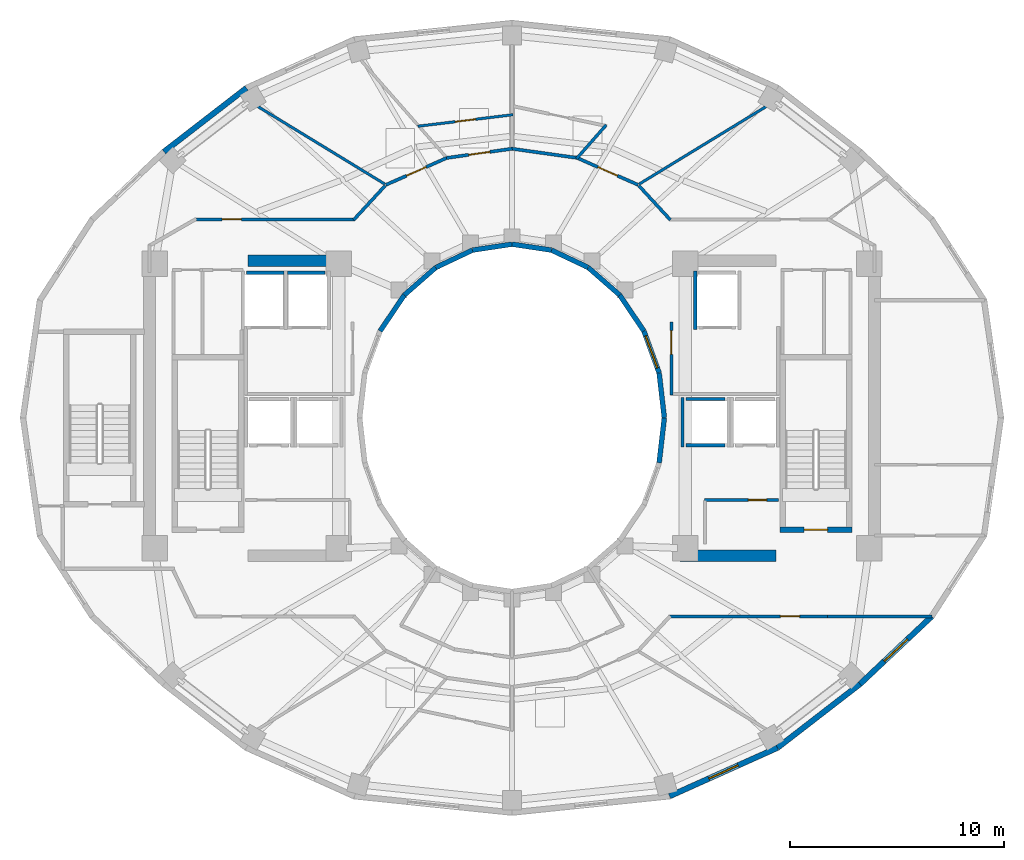
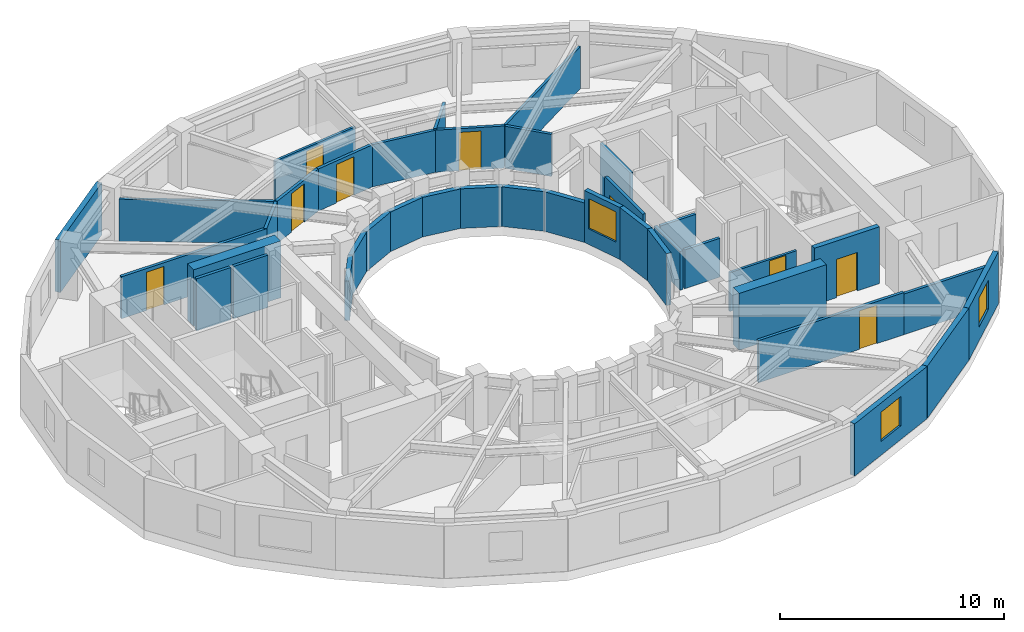
# One storey, part 5 of 9: 39 walls, 9 doors, 3 windows, 12 openings.
"""IFC4 building model written with IfcOpenShell, lengths in metres."""

from ifc_helpers import new_model, si_unit, direction, frame, frame_2d, origin, place, context, subcontext, project, spatial, rectangle, extrude, material, layer, layer_set, type_object, element, fill, save


model = new_model("IFC4")

# Units and contexts
model_context = context("Model", 3, precision=1e-05, world=origin(), true_north=direction((0.0, 1.0)))
body_context = subcontext(model_context, "Body", "Model", "MODEL_VIEW")
ifc_project = project(units=[si_unit("LENGTHUNIT", "METRE"), si_unit("AREAUNIT", "SQUARE_METRE"), si_unit("VOLUMEUNIT", "CUBIC_METRE"), si_unit("PLANEANGLEUNIT", "RADIAN"), si_unit("MASSUNIT", "GRAM", prefix="KILO")], contexts=[model_context])

# Site, building, storey
site_placement = place(None, origin())
site = spatial("IfcSite", under=ifc_project, at=site_placement, CompositionType="ELEMENT")
building_placement = place(site_placement, origin())
building = spatial("IfcBuilding", under=site, at=building_placement, Name="Solvane Sanctuary Tower", CompositionType="ELEMENT")
storey_placement = place(building_placement, frame((0.0, 0.0, 180.800048828125)))
storey = spatial("IfcBuildingStorey", under=building, at=storey_placement, Name="L55", CompositionType="ELEMENT", Elevation=180.800048828125)

# Walls
ifc_material_1 = material(Name="Concrete C50/60", Category="concrete")
ifc_layer_1 = layer(ifc_material_1, 0.550048828125, Name="Concrete C50/60")
ifc_layer_set_1 = layer_set([ifc_layer_1], Name="Concrete C50/60")
wall_type_1 = type_object("IfcWallType", Name="Wall W-CORE-550", PredefinedType="SHEAR", material=ifc_layer_set_1)
for number, where, z_axis, x_axis, name in (
    (1, (19.64990234375, 30.35009765625, 0.0), (0.0, 0.0, 1.0), (1.0, 0.0, 0.0), "L55 Core Shear Wall WC-N"),
    (2, (39.85009765625, 16.550048828125, 0.0), (0.0, 0.0, 1.0), (1.0, 0.0, 0.0), "L55 Core Shear Wall EC-S"),
):
    element("IfcWall", number, at=place(storey_placement, frame(where, z_axis=z_axis, x_axis=x_axis)), inside=storey, type_object=wall_type_1, Name=name, PredefinedType="SHEAR", context=body_context, shape_type="SweptSolid", body=[
        extrude(rectangle(XDim=4.5, YDim=0.550048828125, at=frame_2d((2.25, 0.0))), origin(), (0.0, 0.0, 1.0), 3.099853515625),
    ])

# Wall, opening, door
ifc_material_2 = material(Name="Acoustic Gypsum Partition Board")
ifc_layer_2 = layer(ifc_material_2, 0.14990234375, Name="Acoustic Gypsum Partition Board")
ifc_layer_set_2 = layer_set([ifc_layer_2], Name="Acoustic Gypsum Partition Board")
wall_type_2 = type_object("IfcWallType", Name="Wall W-CORR-150", PredefinedType="PARTITIONING", material=ifc_layer_set_2)
wall_1_placement = place(storey_placement, frame((39.449951171875, 24.080078125, 0.0), z_axis=(0.0, 0.0, 1.0), x_axis=(0.0, 1.0, 0.0)))
wall_1 = element("IfcWall", 3, at=wall_1_placement, inside=storey, type_object=wall_type_2, Name="L55 East Firefighting Lobby West Wall", PredefinedType="PARTITIONING", context=body_context, shape_type="SweptSolid", body=[
    extrude(rectangle(XDim=3.39990234375, YDim=0.14990234375, at=frame_2d((1.699951171875, 0.0))), origin(), (0.0, 0.0, 1.0), 2.85498046875),
])
opening_1_placement = place(wall_1_placement, frame((1.893798828125, 0.0, 0.0)))
opening_1 = element("IfcOpeningElement", 4, at=opening_1_placement, cuts=wall_1, Name="Opening D-L55-05", PredefinedType="OPENING", context=body_context, shape_type="SweptSolid", body=[
    extrude(rectangle(XDim=1.10009765625, YDim=2.10009765625, at=frame_2d((0.550048828125, 1.050048828125))), frame((0.0, 0.0849609375, 0.0), z_axis=(0.0, -1.0, 0.0), x_axis=(1.0, 0.0, 0.0)), (0.0, 0.0, 1.0), 0.169921875),
])
ifc_material_3 = material(Name="Architectural Stainless Steel 316", Category="steel")
door_type_1 = type_object("IfcDoorType", Name="Door D-FFL", OperationType="NOTDEFINED", PredefinedType="DOOR", material=ifc_material_3)
door_1_placement = place(opening_1_placement, origin())
door_1 = element("IfcDoor", 5, at=door_1_placement, inside=storey, type_object=door_type_1, Name="L55 East Firefighting Lobby Fire Door", OperationType="SINGLE_SWING_LEFT", OverallHeight=2.10009765625, OverallWidth=1.10009765625, PredefinedType="DOOR", context=body_context, shape_type="SweptSolid", body=[
    extrude(rectangle(XDim=1.10009765625, YDim=2.10009765625, at=frame_2d((0.550048828125, 1.050048828125))), frame((0.0, 0.02490234375, 0.0), z_axis=(0.0, -1.0, 0.0), x_axis=(1.0, 0.0, 0.0)), (0.0, 0.0, 1.0), 0.050048828125),
])
fill(opening_1, door_1)

# Walls
for number, where, z_axis, x_axis, name in (
    (6, (37.92822265625, 33.855712890625, 0.0), (0.0, 0.0, 1.0), (0.677579737957, -0.735449317567, 0.0), "L55 NE Corner Throat Wall"),
    (7, (26.07177734375, 33.855712890625, 0.0), (0.0, 0.0, 1.0), (-0.677579737957, -0.735449317567, 0.0), "L55 NW Corner Throat Wall"),
):
    element("IfcWall", number, at=place(storey_placement, frame(where, z_axis=z_axis, x_axis=x_axis)), inside=storey, type_object=wall_type_2, Name=name, PredefinedType="PARTITIONING", context=body_context, shape_type="SweptSolid", body=[
        extrude(rectangle(XDim=2.172607421875, YDim=0.14990234375, at=frame_2d((1.08642578125, 0.0))), origin(), (0.0, 0.0, 1.0), 2.299072265625),
    ])

# Wall, opening, door
wall_2_placement = place(storey_placement, frame((17.14990234375, 32.280029296875, 0.0), z_axis=(0.0, 0.0, 1.0), x_axis=(1.0, 0.0, 0.0)))
wall_2 = element("IfcWall", 8, at=wall_2_placement, inside=storey, type_object=wall_type_2, Name="L55 NW Corner Corridor Wall", PredefinedType="PARTITIONING", context=body_context, shape_type="SweptSolid", body=[
    extrude(rectangle(XDim=7.52001953125, YDim=0.14990234375, at=frame_2d((3.760009765625, 0.0))), origin(), (0.0, 0.0, 1.0), 2.299072265625),
])
opening_2_placement = place(wall_2_placement, frame((1.300048828125, 0.0, 0.0)))
opening_2 = element("IfcOpeningElement", 9, at=opening_2_placement, cuts=wall_2, Name="Opening D-L55-16", PredefinedType="OPENING", context=body_context, shape_type="SweptSolid", body=[
    extrude(rectangle(XDim=0.89990234375, YDim=2.10009765625, at=frame_2d((0.449951171875, 1.050048828125))), frame((0.0, 0.0849609375, 0.0), z_axis=(0.0, -1.0, 0.0), x_axis=(1.0, 0.0, 0.0)), (0.0, 0.0, 1.0), 0.169921875),
])
ifc_material_4 = material(Name="Engineered Tropical Hardwood", Category="wood")
door_type_2 = type_object("IfcDoorType", Name="Door D-WET-900", OperationType="NOTDEFINED", PredefinedType="DOOR", material=ifc_material_4)
door_2_placement = place(opening_2_placement, origin())
door_2 = element("IfcDoor", 10, at=door_2_placement, inside=storey, type_object=door_type_2, Name="L55 NW Corner Salon Door", OperationType="SINGLE_SWING_RIGHT", OverallHeight=2.10009765625, OverallWidth=0.89990234375, PredefinedType="DOOR", context=body_context, shape_type="SweptSolid", body=[
    extrude(rectangle(XDim=0.89990234375, YDim=2.10009765625, at=frame_2d((0.449951171875, 1.050048828125))), frame((0.0, 0.02490234375, 0.0), z_axis=(0.0, -1.0, 0.0), x_axis=(1.0, 0.0, 0.0)), (0.0, 0.0, 1.0), 0.050048828125),
])
fill(opening_2, door_2)

wall_3_placement = place(storey_placement, frame((39.330078125, 13.719970703125, 0.0), z_axis=(0.0, 0.0, 1.0), x_axis=(1.0, 0.0, 0.0)))
wall_3 = element("IfcWall", 11, at=wall_3_placement, inside=storey, type_object=wall_type_2, Name="L55 SE Corner Corridor Wall", PredefinedType="PARTITIONING", context=body_context, shape_type="SweptSolid", body=[
    extrude(rectangle(XDim=7.52001953125, YDim=0.14990234375, at=frame_2d((3.760009765625, 0.0))), origin(), (0.0, 0.0, 1.0), 2.299072265625),
])
opening_3_placement = place(wall_3_placement, frame((5.219970703125, 0.0, 0.0)))
opening_3 = element("IfcOpeningElement", 12, at=opening_3_placement, cuts=wall_3, Name="Opening D-L55-19", PredefinedType="OPENING", context=body_context, shape_type="SweptSolid", body=[
    extrude(rectangle(XDim=0.89990234375, YDim=2.10009765625, at=frame_2d((0.449951171875, 1.050048828125))), frame((0.0, 0.0849609375, 0.0), z_axis=(0.0, -1.0, 0.0), x_axis=(1.0, 0.0, 0.0)), (0.0, 0.0, 1.0), 0.169921875),
])
door_3_placement = place(opening_3_placement, origin())
door_3 = element("IfcDoor", 13, at=door_3_placement, inside=storey, type_object=door_type_2, Name="L55 SE Corner Salon Door", OperationType="SINGLE_SWING_LEFT", OverallHeight=2.10009765625, OverallWidth=0.89990234375, PredefinedType="DOOR", context=body_context, shape_type="SweptSolid", body=[
    extrude(rectangle(XDim=0.89990234375, YDim=2.10009765625, at=frame_2d((0.449951171875, 1.050048828125))), frame((0.0, 0.02490234375, 0.0), z_axis=(0.0, -1.0, 0.0), x_axis=(1.0, 0.0, 0.0)), (0.0, 0.0, 1.0), 0.050048828125),
])
fill(opening_3, door_3)

# Walls
wall_4_placement = place(storey_placement, frame((46.75, 13.72021484375, 0.0), z_axis=(0.0, 0.0, 1.0), x_axis=(0.999997122315, -0.00239903348, 0.0)))
element("IfcWall", 14, at=wall_4_placement, inside=storey, type_object=wall_type_2, Name="L55 SE Corner Wing Wall", PredefinedType="PARTITIONING", context=body_context, shape_type="SweptSolid", body=[
    extrude(rectangle(XDim=4.884765625, YDim=0.14990234375, at=frame_2d((2.4423828125, 0.0))), origin(), (0.0, 0.0, 1.0), 2.219970703125),
])
wall_5_placement = place(storey_placement, frame((35.098876953125, 35.146240234375, 0.0), z_axis=(0.0, 0.0, 1.0), x_axis=(-0.990251283702, 0.139292480508, 0.0)))
element("IfcWall", 15, at=wall_5_placement, inside=storey, type_object=wall_type_2, Name="L55 En-suite Inner Wall N1", PredefinedType="PARTITIONING", context=body_context, shape_type="SweptSolid", body=[
    extrude(rectangle(XDim=3.179443359375, YDim=0.14990234375, at=frame_2d((1.58984375, 0.0))), origin(), (0.0, 0.0, 1.0), 2.299072265625),
])

# Wall, opening, door
wall_6_placement = place(storey_placement, frame((37.898193359375, 33.891845703125, 0.0), z_axis=(0.0, 0.0, 1.0), x_axis=(-0.914519212393, 0.40454247016, 0.0)))
wall_6 = element("IfcWall", 16, at=wall_6_placement, inside=storey, type_object=wall_type_2, Name="L55 Unit Corridor Wall N1", PredefinedType="PARTITIONING", context=body_context, shape_type="SweptSolid", body=[
    extrude(rectangle(XDim=3.123779296875, YDim=0.14990234375, at=frame_2d((1.56201171875, 0.0))), origin(), (0.0, 0.0, 1.0), 2.299072265625),
])
opening_4_placement = place(wall_6_placement, frame((1.061767578125, 0.0, 0.0)))
opening_4 = element("IfcOpeningElement", 17, at=opening_4_placement, cuts=wall_6, Name="Opening D-L55-23", PredefinedType="OPENING", context=body_context, shape_type="SweptSolid", body=[
    extrude(rectangle(XDim=1.0, YDim=2.10009765625, at=frame_2d((0.5, 1.050048828125))), frame((0.0, 0.0849609375, 0.0), z_axis=(0.0, -1.0, 0.0), x_axis=(1.0, 0.0, 0.0)), (0.0, 0.0, 1.0), 0.169921875),
])
door_type_3 = type_object("IfcDoorType", Name="Door D-UNIT", OperationType="NOTDEFINED", PredefinedType="DOOR", material=ifc_material_4)
door_4_placement = place(opening_4_placement, origin())
door_4 = element("IfcDoor", 18, at=door_4_placement, inside=storey, type_object=door_type_3, Name="L55 Unit Entrance Door N1", OperationType="SINGLE_SWING_LEFT", OverallHeight=2.10009765625, OverallWidth=1.0, PredefinedType="DOOR", context=body_context, shape_type="SweptSolid", body=[
    extrude(rectangle(XDim=1.0, YDim=2.10009765625, at=frame_2d((0.5, 1.050048828125))), frame((0.0, 0.02490234375, 0.0), z_axis=(0.0, -1.0, 0.0), x_axis=(1.0, 0.0, 0.0)), (0.0, 0.0, 1.0), 0.050048828125),
])
fill(opening_4, door_4)

wall_7_placement = place(storey_placement, frame((32.00830078125, 35.58203125, 0.0), z_axis=(0.0, 0.0, 1.0), x_axis=(-0.990254709652, -0.13926812274, 0.0)))
wall_7 = element("IfcWall", 19, at=wall_7_placement, inside=storey, type_object=wall_type_2, Name="L55 Unit Corridor Wall N2", PredefinedType="PARTITIONING", context=body_context, shape_type="SweptSolid", body=[
    extrude(rectangle(XDim=3.095947265625, YDim=0.14990234375, at=frame_2d((1.5478515625, 0.0))), origin(), (0.0, 0.0, 1.0), 2.299072265625),
])
opening_5_placement = place(wall_7_placement, frame((1.0478515625, 0.0, 0.0)))
opening_5 = element("IfcOpeningElement", 20, at=opening_5_placement, cuts=wall_7, Name="Opening D-L55-25", PredefinedType="OPENING", context=body_context, shape_type="SweptSolid", body=[
    extrude(rectangle(XDim=1.0, YDim=2.10009765625, at=frame_2d((0.5, 1.050048828125))), frame((0.0, 0.0849609375, 0.0), z_axis=(0.0, -1.0, 0.0), x_axis=(1.0, 0.0, 0.0)), (0.0, 0.0, 1.0), 0.169921875),
])
door_5_placement = place(opening_5_placement, origin())
door_5 = element("IfcDoor", 21, at=door_5_placement, inside=storey, type_object=door_type_3, Name="L55 Unit Entrance Door N2", OperationType="SINGLE_SWING_LEFT", OverallHeight=2.10009765625, OverallWidth=1.0, PredefinedType="DOOR", context=body_context, shape_type="SweptSolid", body=[
    extrude(rectangle(XDim=1.0, YDim=2.10009765625, at=frame_2d((0.5, 1.050048828125))), frame((0.0, 0.02490234375, 0.0), z_axis=(0.0, -1.0, 0.0), x_axis=(1.0, 0.0, 0.0)), (0.0, 0.0, 1.0), 0.050048828125),
])
fill(opening_5, door_5)

wall_8_placement = place(storey_placement, frame((28.95849609375, 35.155517578125, 0.0), z_axis=(0.0, 0.0, 1.0), x_axis=(-0.914519212393, -0.40454247016, 0.0)))
wall_8 = element("IfcWall", 22, at=wall_8_placement, inside=storey, type_object=wall_type_2, Name="L55 Unit Corridor Wall N3", PredefinedType="PARTITIONING", context=body_context, shape_type="SweptSolid", body=[
    extrude(rectangle(XDim=3.123779296875, YDim=0.14990234375, at=frame_2d((1.56201171875, 0.0))), origin(), (0.0, 0.0, 1.0), 2.299072265625),
])
opening_6_placement = place(wall_8_placement, frame((1.061767578125, 0.0, 0.0)))
opening_6 = element("IfcOpeningElement", 23, at=opening_6_placement, cuts=wall_8, Name="Opening D-L55-26", PredefinedType="OPENING", context=body_context, shape_type="SweptSolid", body=[
    extrude(rectangle(XDim=1.0, YDim=2.10009765625, at=frame_2d((0.5, 1.050048828125))), frame((0.0, 0.0849609375, 0.0), z_axis=(0.0, -1.0, 0.0), x_axis=(1.0, 0.0, 0.0)), (0.0, 0.0, 1.0), 0.169921875),
])
door_6_placement = place(opening_6_placement, origin())
door_6 = element("IfcDoor", 24, at=door_6_placement, inside=storey, type_object=door_type_3, Name="L55 Unit Entrance Door N3", OperationType="SINGLE_SWING_RIGHT", OverallHeight=2.10009765625, OverallWidth=1.0, PredefinedType="DOOR", context=body_context, shape_type="SweptSolid", body=[
    extrude(rectangle(XDim=1.0, YDim=2.10009765625, at=frame_2d((0.5, 1.050048828125))), frame((0.0, 0.02490234375, 0.0), z_axis=(0.0, -1.0, 0.0), x_axis=(1.0, 0.0, 0.0)), (0.0, 0.0, 1.0), 0.050048828125),
])
fill(opening_6, door_6)

# Wall
ifc_material_5 = material(Name="Precast concrete C40/50", Category="concrete")
ifc_layer_3 = layer(ifc_material_5, 0.260009765625, Name="Precast concrete C40/50")
ifc_layer_set_3 = layer_set([ifc_layer_3], Name="Precast concrete C40/50")
wall_type_3 = type_object("IfcWallType", Name="Wall W-EXT-250", PredefinedType="STANDARD", material=ifc_layer_set_3)
wall_9_placement = place(storey_placement, frame((19.5869140625, 38.41943359375, 0.0), z_axis=(0.0, 0.0, 1.0), x_axis=(-0.791460185804, -0.611220724687, 0.0)))
element("IfcWall", 25, at=wall_9_placement, inside=storey, type_object=wall_type_3, Name="L55 Ceramic-Printed Facade Wall 08", PredefinedType="STANDARD", context=body_context, shape_type="SweptSolid", body=[
    extrude(rectangle(XDim=4.872314453125, YDim=0.260009765625, at=frame_2d((2.43603515625, 0.0))), origin(), (0.0, 0.0, 1.0), 2.849853515625),
])

# Wall, opening, window
wall_10_placement = place(storey_placement, frame((39.365234375, 5.3154296875, 0.0), z_axis=(0.0, 0.0, 1.0), x_axis=(0.912353637112, 0.409403029847, 0.0)))
wall_10 = element("IfcWall", 26, at=wall_10_placement, inside=storey, type_object=wall_type_3, Name="L55 Ceramic-Printed Facade Wall 19", PredefinedType="STANDARD", context=body_context, shape_type="SweptSolid", body=[
    extrude(rectangle(XDim=5.53271484375, YDim=0.260009765625, at=frame_2d((2.766357421875, 0.0))), origin(), (0.0, 0.0, 1.0), 2.849853515625),
])
opening_7_placement = place(wall_10_placement, frame((2.016357421875, 0.0, 0.75)))
opening_7 = element("IfcOpeningElement", 27, at=opening_7_placement, cuts=wall_10, Name="Opening WN-OPER-1500", PredefinedType="OPENING", context=body_context, shape_type="SweptSolid", body=[
    extrude(rectangle(XDim=1.5, YDim=1.60009765625, at=frame_2d((0.75, 0.800048828125))), frame((0.0, 0.139892578125, 0.0), z_axis=(0.0, -1.0, 0.0), x_axis=(1.0, 0.0, 0.0)), (0.0, 0.0, 1.0), 0.280029296875),
])
ifc_material_6 = material(Name="Dark Ceramic-Fritted Low-E Glass", Category="glass")
window_type_1 = type_object("IfcWindowType", Name="Window WN-OPER-1500", PartitioningType="SINGLE_PANEL", PredefinedType="WINDOW", material=ifc_material_6)
window_1_placement = place(opening_7_placement, origin())
window_1 = element("IfcWindow", 28, at=window_1_placement, inside=storey, type_object=window_type_1, Name="L55 Operable Facade Window 19", OverallHeight=1.60009765625, OverallWidth=1.5, PartitioningType="SINGLE_PANEL", PredefinedType="WINDOW", context=body_context, shape_type="SweptSolid", body=[
    extrude(rectangle(XDim=1.5, YDim=1.60009765625, at=frame_2d((0.75, 0.800048828125))), frame((0.0, 0.030029296875, 0.0), z_axis=(0.0, -1.0, 0.0), x_axis=(1.0, 0.0, 0.0)), (0.0, 0.0, 1.0), 0.06005859375),
])
fill(opening_7, window_1)

# Wall
wall_11_placement = place(storey_placement, frame((44.4130859375, 7.58056640625, 0.0), z_axis=(0.0, 0.0, 1.0), x_axis=(0.791460185804, 0.611220724687, 0.0)))
element("IfcWall", 29, at=wall_11_placement, inside=storey, type_object=wall_type_3, Name="L55 Ceramic-Printed Facade Wall 20", PredefinedType="STANDARD", context=body_context, shape_type="SweptSolid", body=[
    extrude(rectangle(XDim=4.872314453125, YDim=0.260009765625, at=frame_2d((2.43603515625, 0.0))), origin(), (0.0, 0.0, 1.0), 2.849853515625),
])

# Wall, opening, window
wall_12_placement = place(storey_placement, frame((48.269287109375, 10.55859375, 0.0), z_axis=(0.0, 0.0, 1.0), x_axis=(0.727667301037, 0.68593024354, 0.0)))
wall_12 = element("IfcWall", 30, at=wall_12_placement, inside=storey, type_object=wall_type_3, Name="L55 Ceramic-Printed Facade Wall 21", PredefinedType="STANDARD", context=body_context, shape_type="SweptSolid", body=[
    extrude(rectangle(XDim=4.603515625, YDim=0.260009765625, at=frame_2d((2.3017578125, 0.0))), origin(), (0.0, 0.0, 1.0), 2.849853515625),
])
opening_8_placement = place(wall_12_placement, frame((1.5517578125, 0.0, 0.75)))
opening_8 = element("IfcOpeningElement", 31, at=opening_8_placement, cuts=wall_12, Name="Opening WN-OPER-1500", PredefinedType="OPENING", context=body_context, shape_type="SweptSolid", body=[
    extrude(rectangle(XDim=1.5, YDim=1.60009765625, at=frame_2d((0.75, 0.800048828125))), frame((0.0, 0.139892578125, 0.0), z_axis=(0.0, -1.0, 0.0), x_axis=(1.0, 0.0, 0.0)), (0.0, 0.0, 1.0), 0.280029296875),
])
window_2_placement = place(opening_8_placement, origin())
window_2 = element("IfcWindow", 32, at=window_2_placement, inside=storey, type_object=window_type_1, Name="L55 Operable Facade Window 21", OverallHeight=1.60009765625, OverallWidth=1.5, PartitioningType="SINGLE_PANEL", PredefinedType="WINDOW", context=body_context, shape_type="SweptSolid", body=[
    extrude(rectangle(XDim=1.5, YDim=1.60009765625, at=frame_2d((0.75, 0.800048828125))), frame((0.0, 0.030029296875, 0.0), z_axis=(0.0, -1.0, 0.0), x_axis=(1.0, 0.0, 0.0)), (0.0, 0.0, 1.0), 0.06005859375),
])
fill(opening_8, window_2)

# Wall
ifc_layer_4 = layer(ifc_material_5, 0.22998046875, Name="Precast concrete C40/50")
ifc_layer_set_4 = layer_set([ifc_layer_4], Name="Precast concrete C40/50")
wall_type_4 = type_object("IfcWallType", Name="Wall W-EXT-SP220", PredefinedType="STANDARD", material=ifc_layer_set_4)
wall_13_placement = place(storey_placement, frame((39.1201171875, 23.0, 0.0), z_axis=(0.0, 0.0, 1.0), x_axis=(-0.114711713601, 0.993398823617, 0.0)))
element("IfcWall", 33, at=wall_13_placement, inside=storey, type_object=wall_type_4, Name="L55 Central Light-Well Wall 00", PredefinedType="STANDARD", context=body_context, shape_type="SweptSolid", body=[
    extrude(rectangle(XDim=2.115478515625, YDim=0.22998046875, at=frame_2d((1.0576171875, 0.0))), origin(), (0.0, 0.0, 1.0), 2.83984375),
])

# Wall, opening, window
wall_14_placement = place(storey_placement, frame((38.87744140625, 25.1015625, 0.0), z_axis=(0.0, 0.0, 1.0), x_axis=(-0.341423187295, 0.93990968033, 0.0)))
wall_14 = element("IfcWall", 34, at=wall_14_placement, inside=storey, type_object=wall_type_4, Name="L55 Central Light-Well Wall 01", PredefinedType="STANDARD", context=body_context, shape_type="SweptSolid", body=[
    extrude(rectangle(XDim=2.083740234375, YDim=0.22998046875, at=frame_2d((1.0419921875, 0.0))), origin(), (0.0, 0.0, 1.0), 2.83984375),
])
opening_9_placement = place(wall_14_placement, frame((0.24169921875, 0.0, 0.85009765625)))
opening_9 = element("IfcOpeningElement", 35, at=opening_9_placement, cuts=wall_14, Name="Opening WN-WELL-1600", PredefinedType="OPENING", context=body_context, shape_type="SweptSolid", body=[
    extrude(rectangle(XDim=1.60009765625, YDim=1.64990234375, at=frame_2d((0.800048828125, 0.824951171875))), frame((0.0, 0.125, 0.0), z_axis=(0.0, -1.0, 0.0), x_axis=(1.0, 0.0, 0.0)), (0.0, 0.0, 1.0), 0.25),
])
ifc_material_7 = material(Name="Clear Laminated Light-Well Glass", Category="glass")
window_type_2 = type_object("IfcWindowType", Name="Window WN-WELL-1600", PartitioningType="SINGLE_PANEL", PredefinedType="WINDOW", material=ifc_material_7)
window_3_placement = place(opening_9_placement, origin())
window_3 = element("IfcWindow", 36, at=window_3_placement, inside=storey, type_object=window_type_2, Name="L55 Light-Well Daylight Window 01", OverallHeight=1.64990234375, OverallWidth=1.60009765625, PartitioningType="SINGLE_PANEL", PredefinedType="WINDOW", context=body_context, shape_type="SweptSolid", body=[
    extrude(rectangle(XDim=1.60009765625, YDim=1.64990234375, at=frame_2d((0.800048828125, 0.824951171875))), frame((0.0, 0.030029296875, 0.0), z_axis=(0.0, -1.0, 0.0), x_axis=(1.0, 0.0, 0.0)), (0.0, 0.0, 1.0), 0.06005859375),
])
fill(opening_9, window_3)

# Walls
wall_15_placement = place(storey_placement, frame((38.166015625, 27.06005859375, 0.0), z_axis=(0.0, 0.0, 1.0), x_axis=(-0.558197800898, 0.829707909492, 0.0)))
element("IfcWall", 37, at=wall_15_placement, inside=storey, type_object=wall_type_4, Name="L55 Central Light-Well Wall 02", PredefinedType="STANDARD", context=body_context, shape_type="SweptSolid", body=[
    extrude(rectangle(XDim=2.02685546875, YDim=0.22998046875, at=frame_2d((1.013427734375, 0.0))), origin(), (0.0, 0.0, 1.0), 2.159912109375),
])
wall_16_placement = place(storey_placement, frame((37.03466796875, 28.74169921875, 0.0), z_axis=(0.0, 0.0, 1.0), x_axis=(-0.752576694707, 0.658504607869, 0.0)))
element("IfcWall", 38, at=wall_16_placement, inside=storey, type_object=wall_type_4, Name="L55 Central Light-Well Wall 03", PredefinedType="STANDARD", context=body_context, shape_type="SweptSolid", body=[
    extrude(rectangle(XDim=1.95947265625, YDim=0.22998046875, at=frame_2d((0.979736328125, 0.0))), origin(), (0.0, 0.0, 1.0), 2.159912109375),
])
wall_17_placement = place(storey_placement, frame((35.56005859375, 30.031982421875, 0.0), z_axis=(0.0, 0.0, 1.0), x_axis=(-0.904179699603, 0.427152280606, 0.0)))
element("IfcWall", 39, at=wall_17_placement, inside=storey, type_object=wall_type_4, Name="L55 Central Light-Well Wall 04", PredefinedType="STANDARD", context=body_context, shape_type="SweptSolid", body=[
    extrude(rectangle(XDim=1.899169921875, YDim=0.22998046875, at=frame_2d((0.94970703125, 0.0))), origin(), (0.0, 0.0, 1.0), 2.159912109375),
])
for number, where, z_axis, x_axis, name in (
    (40, (33.8427734375, 30.84326171875, 0.0), (0.0, 0.0, 1.0), (-0.988901730308, 0.148571086668, 0.0), "L55 Central Light-Well Wall 05"),
    (41, (32.0, 31.1201171875, 0.0), (0.0, 0.0, 1.0), (-0.988901730308, -0.148571086668, 0.0), "L55 Central Light-Well Wall 06"),
):
    element("IfcWall", number, at=place(storey_placement, frame(where, z_axis=z_axis, x_axis=x_axis)), inside=storey, type_object=wall_type_4, Name=name, PredefinedType="STANDARD", context=body_context, shape_type="SweptSolid", body=[
        extrude(rectangle(XDim=1.863525390625, YDim=0.22998046875, at=frame_2d((0.931640625, 0.0))), origin(), (0.0, 0.0, 1.0), 2.159912109375),
    ])
wall_18_placement = place(storey_placement, frame((30.1572265625, 30.84326171875, 0.0), z_axis=(0.0, 0.0, 1.0), x_axis=(-0.904179699603, -0.427152280606, 0.0)))
element("IfcWall", 42, at=wall_18_placement, inside=storey, type_object=wall_type_4, Name="L55 Central Light-Well Wall 07", PredefinedType="STANDARD", context=body_context, shape_type="SweptSolid", body=[
    extrude(rectangle(XDim=1.899169921875, YDim=0.22998046875, at=frame_2d((0.94970703125, 0.0))), origin(), (0.0, 0.0, 1.0), 2.159912109375),
])
wall_19_placement = place(storey_placement, frame((28.43994140625, 30.031982421875, 0.0), z_axis=(0.0, 0.0, 1.0), x_axis=(-0.752576694707, -0.658504607869, 0.0)))
element("IfcWall", 43, at=wall_19_placement, inside=storey, type_object=wall_type_4, Name="L55 Central Light-Well Wall 08", PredefinedType="STANDARD", context=body_context, shape_type="SweptSolid", body=[
    extrude(rectangle(XDim=1.95947265625, YDim=0.22998046875, at=frame_2d((0.979736328125, 0.0))), origin(), (0.0, 0.0, 1.0), 2.159912109375),
])
wall_20_placement = place(storey_placement, frame((26.96533203125, 28.74169921875, 0.0), z_axis=(0.0, 0.0, 1.0), x_axis=(-0.558197800898, -0.829707909492, 0.0)))
element("IfcWall", 44, at=wall_20_placement, inside=storey, type_object=wall_type_4, Name="L55 Central Light-Well Wall 09", PredefinedType="STANDARD", context=body_context, shape_type="SweptSolid", body=[
    extrude(rectangle(XDim=2.02685546875, YDim=0.22998046875, at=frame_2d((1.013427734375, 0.0))), origin(), (0.0, 0.0, 1.0), 2.159912109375),
])
wall_21_placement = place(storey_placement, frame((38.87744140625, 20.8984375, 0.0), z_axis=(0.0, 0.0, 1.0), x_axis=(0.114711713601, 0.993398823617, 0.0)))
element("IfcWall", 45, at=wall_21_placement, inside=storey, type_object=wall_type_4, Name="L55 Central Light-Well Wall 23", PredefinedType="STANDARD", context=body_context, shape_type="SweptSolid", body=[
    extrude(rectangle(XDim=2.115478515625, YDim=0.22998046875, at=frame_2d((1.0576171875, 0.0))), origin(), (0.0, 0.0, 1.0), 2.83984375),
])

# Wall, opening, door
ifc_layer_5 = layer(ifc_material_2, 0.1201171875, Name="Acoustic Gypsum Partition Board")
ifc_layer_set_5 = layer_set([ifc_layer_5], Name="Acoustic Gypsum Partition Board")
wall_type_5 = type_object("IfcWallType", Name="Wall W-MOV-100", PredefinedType="MOVABLE", material=ifc_layer_set_5)
wall_22_placement = place(storey_placement, frame((32.049560546875, 37.17138671875, 0.0), z_axis=(0.0, 0.0, 1.0), x_axis=(-0.992759753087, -0.120116912424, 0.0)))
wall_22 = element("IfcWall", 46, at=wall_22_placement, inside=storey, type_object=wall_type_5, Name="L55 Suite Sitting Lounge Partition N2", PredefinedType="MOVABLE", context=body_context, shape_type="SweptSolid", body=[
    extrude(rectangle(XDim=4.48779296875, YDim=0.1201171875, at=frame_2d((2.243896484375, 0.0))), origin(), (0.0, 0.0, 1.0), 2.299072265625),
])
opening_10_placement = place(wall_22_placement, frame((1.768798828125, 0.0, 0.0)))
opening_10 = element("IfcOpeningElement", 47, at=opening_10_placement, cuts=wall_22, Name="Opening D-L55-24", PredefinedType="OPENING", context=body_context, shape_type="SweptSolid", body=[
    extrude(rectangle(XDim=0.949951171875, YDim=2.10009765625, at=frame_2d((0.47509765625, 1.050048828125))), frame((0.0, 0.070068359375, 0.0), z_axis=(0.0, -1.0, 0.0), x_axis=(1.0, 0.0, 0.0)), (0.0, 0.0, 1.0), 0.14013671875),
])
door_type_4 = type_object("IfcDoorType", Name="Door D-ROOM-950", OperationType="NOTDEFINED", PredefinedType="DOOR", material=ifc_material_4)
door_7_placement = place(opening_10_placement, origin())
door_7 = element("IfcDoor", 48, at=door_7_placement, inside=storey, type_object=door_type_4, Name="L55 Suite Sitting Lounge Door N2", OperationType="SINGLE_SWING_RIGHT", OverallHeight=2.10009765625, OverallWidth=0.949951171875, PredefinedType="DOOR", context=body_context, shape_type="SweptSolid", body=[
    extrude(rectangle(XDim=0.949951171875, YDim=2.10009765625, at=frame_2d((0.47509765625, 1.050048828125))), frame((0.0, 0.02490234375, 0.0), z_axis=(0.0, -1.0, 0.0), x_axis=(1.0, 0.0, 0.0)), (0.0, 0.0, 1.0), 0.050048828125),
])
fill(opening_10, door_7)

ifc_layer_6 = layer(ifc_material_2, 0.125, Name="Acoustic Gypsum Partition Board")
ifc_layer_set_6 = layer_set([ifc_layer_6], Name="Acoustic Gypsum Partition Board")
wall_type_6 = type_object("IfcWallType", Name="Wall W-PART-125", PredefinedType="PARTITIONING", material=ifc_layer_set_6)
wall_23_placement = place(storey_placement, frame((41.0, 19.159912109375, 0.0), z_axis=(0.0, 0.0, 1.0), x_axis=(1.0, 0.0, 0.0)))
wall_23 = element("IfcWall", 49, at=wall_23_placement, inside=storey, type_object=wall_type_6, Name="L55 Reclaimed Room Partition PLE", PredefinedType="PARTITIONING", context=body_context, shape_type="SweptSolid", body=[
    extrude(rectangle(XDim=3.449951171875, YDim=0.125, at=frame_2d((1.72509765625, 0.0))), origin(), (0.0, 0.0, 1.0), 2.119873046875),
])
opening_11_placement = place(wall_23_placement, frame((2.050048828125, 0.0, 0.0)))
opening_11 = element("IfcOpeningElement", 50, at=opening_11_placement, cuts=wall_23, Name="Opening D-L55-07", PredefinedType="OPENING", context=body_context, shape_type="SweptSolid", body=[
    extrude(rectangle(XDim=0.85009765625, YDim=2.050048828125, at=frame_2d((0.425048828125, 1.02490234375))), frame((0.0, 0.072509765625, 0.0), z_axis=(0.0, -1.0, 0.0), x_axis=(1.0, 0.0, 0.0)), (0.0, 0.0, 1.0), 0.14501953125),
])
door_type_5 = type_object("IfcDoorType", Name="Door D-RISER", OperationType="NOTDEFINED", PredefinedType="DOOR", material=ifc_material_3)
door_8_placement = place(opening_11_placement, origin())
door_8 = element("IfcDoor", 51, at=door_8_placement, inside=storey, type_object=door_type_5, Name="L55 Reclaimed Room Door PLE-1", OperationType="SINGLE_SWING_LEFT", OverallHeight=2.050048828125, OverallWidth=0.85009765625, PredefinedType="DOOR", context=body_context, shape_type="SweptSolid", body=[
    extrude(rectangle(XDim=0.85009765625, YDim=2.050048828125, at=frame_2d((0.425048828125, 1.02490234375))), frame((0.0, 0.02490234375, 0.0), z_axis=(0.0, -1.0, 0.0), x_axis=(1.0, 0.0, 0.0)), (0.0, 0.0, 1.0), 0.050048828125),
])
fill(opening_11, door_8)

# Walls
for number, where, z_axis, x_axis, name in (
    (52, (37.93798828125, 33.925048828125, 0.0), (0.0, 0.0, 1.0), (0.853440334679, 0.521190555501, 0.0), "L55 Radial Compartment Wall 060"),
    (53, (26.06201171875, 33.925048828125, 0.0), (0.0, 0.0, 1.0), (-0.853440334679, 0.521190555501, 0.0), "L55 Radial Compartment Wall 120"),
):
    element("IfcWall", number, at=place(storey_placement, frame(where, z_axis=z_axis, x_axis=x_axis)), inside=storey, type_object=wall_type_6, Name=name, PredefinedType="PARTITIONING", context=body_context, shape_type="SweptSolid", body=[
        extrude(rectangle(XDim=6.966064453125, YDim=0.125, at=frame_2d((3.48291015625, 0.0))), origin(), (0.0, 0.0, 1.0), 2.299072265625),
    ])
ifc_layer_7 = layer(ifc_material_1, 0.14990234375, Name="Concrete C50/60")
ifc_layer_set_7 = layer_set([ifc_layer_7], Name="Concrete C50/60")
wall_type_7 = type_object("IfcWallType", Name="Wall W-SHAFT-150", PredefinedType="SOLIDWALL", material=ifc_layer_set_7)
for number, where, z_axis, x_axis, name in (
    (54, (40.139892578125, 21.719970703125, 0.0), (0.0, 0.0, 1.0), (1.0, 0.0, 0.0), "L55 PH-2 Lift Shaft Wall F"),
    (55, (40.139892578125, 23.8798828125, 0.0), (0.0, 0.0, 1.0), (1.0, 0.0, 0.0), "L55 PH-2 Lift Shaft Wall B"),
):
    element("IfcWall", number, at=place(storey_placement, frame(where, z_axis=z_axis, x_axis=x_axis)), inside=storey, type_object=wall_type_7, Name=name, PredefinedType="SOLIDWALL", context=body_context, shape_type="SweptSolid", body=[
        extrude(rectangle(XDim=1.820068359375, YDim=0.14990234375, at=frame_2d((0.91015625, 0.0))), origin(), (0.0, 0.0, 1.0), 2.119873046875),
    ])
wall_24_placement = place(storey_placement, frame((39.969970703125, 21.639892578125, 0.0), z_axis=(0.0, 0.0, 1.0), x_axis=(0.0, 1.0, 0.0)))
element("IfcWall", 56, at=wall_24_placement, inside=storey, type_object=wall_type_7, Name="L55 PH-2 Lift Shaft Wall S1", PredefinedType="SOLIDWALL", context=body_context, shape_type="SweptSolid", body=[
    extrude(rectangle(XDim=2.320068359375, YDim=0.14990234375, at=frame_2d((1.16015625, 0.0))), origin(), (0.0, 0.0, 1.0), 2.119873046875),
])
for number, where, z_axis, x_axis, name in (
    (57, (19.590087890625, 29.780029296875, 0.0), (0.0, 0.0, 1.0), (1.0, 0.0, 0.0), "L55 FFL-1 Lift Shaft Wall B"),
    (58, (21.5, 29.780029296875, 0.0), (0.0, 0.0, 1.0), (1.0, 0.0, 0.0), "L55 SVL-1 Lift Shaft Wall B"),
):
    element("IfcWall", number, at=place(storey_placement, frame(where, z_axis=z_axis, x_axis=x_axis)), inside=storey, type_object=wall_type_7, Name=name, PredefinedType="SOLIDWALL", context=body_context, shape_type="SweptSolid", body=[
        extrude(rectangle(XDim=1.760009765625, YDim=0.14990234375, at=frame_2d((0.8798828125, 0.0))), origin(), (0.0, 0.0, 1.0), 2.85498046875),
    ])
wall_25_placement = place(storey_placement, frame((40.570068359375, 27.139892578125, 0.0), z_axis=(0.0, 0.0, 1.0), x_axis=(0.0, 1.0, 0.0)))
element("IfcWall", 59, at=wall_25_placement, inside=storey, type_object=wall_type_7, Name="L55 FFL-2 Lift Shaft Wall S1", PredefinedType="SOLIDWALL", context=body_context, shape_type="SweptSolid", body=[
    extrude(rectangle(XDim=2.72021484375, YDim=0.14990234375, at=frame_2d((1.360107421875, 0.0))), origin(), (0.0, 0.0, 1.0), 2.85498046875),
])

# Wall, opening, door
ifc_layer_8 = layer(ifc_material_1, 0.25, Name="Concrete C50/60")
ifc_layer_set_8 = layer_set([ifc_layer_8], Name="Concrete C50/60")
wall_type_8 = type_object("IfcWallType", Name="Wall W-SHAFT-250", PredefinedType="SOLIDWALL", material=ifc_layer_set_8)
wall_26_placement = place(storey_placement, frame((44.52490234375, 17.77001953125, 0.0), z_axis=(0.0, 0.0, 1.0), x_axis=(1.0, 0.0, 0.0)))
wall_26 = element("IfcWall", 60, at=wall_26_placement, inside=storey, type_object=wall_type_8, Name="L55 ST-2 Load-Bearing Shaft Wall S", PredefinedType="SOLIDWALL", context=body_context, shape_type="SweptSolid", body=[
    extrude(rectangle(XDim=3.3701171875, YDim=0.25, at=frame_2d((1.68505859375, 0.0))), origin(), (0.0, 0.0, 1.0), 3.099853515625),
])
opening_12_placement = place(wall_26_placement, frame((1.135009765625, 0.0, 0.0)))
opening_12 = element("IfcOpeningElement", 61, at=opening_12_placement, cuts=wall_26, Name="Opening D-L55-02", PredefinedType="OPENING", context=body_context, shape_type="SweptSolid", body=[
    extrude(rectangle(XDim=1.10009765625, YDim=2.10009765625, at=frame_2d((0.550048828125, 1.050048828125))), frame((0.0, 0.135009765625, 0.0), z_axis=(0.0, -1.0, 0.0), x_axis=(1.0, 0.0, 0.0)), (0.0, 0.0, 1.0), 0.27001953125),
])
door_type_6 = type_object("IfcDoorType", Name="Door D-STAIR", OperationType="NOTDEFINED", PredefinedType="DOOR", material=ifc_material_3)
door_9_placement = place(opening_12_placement, origin())
door_9 = element("IfcDoor", 62, at=door_9_placement, inside=storey, type_object=door_type_6, Name="L55 ST-2 Exit Stair Fire Door", OperationType="SINGLE_SWING_RIGHT", OverallHeight=2.10009765625, OverallWidth=1.10009765625, PredefinedType="DOOR", context=body_context, shape_type="SweptSolid", body=[
    extrude(rectangle(XDim=1.10009765625, YDim=2.10009765625, at=frame_2d((0.550048828125, 1.050048828125))), frame((0.0, 0.02490234375, 0.0), z_axis=(0.0, -1.0, 0.0), x_axis=(1.0, 0.0, 0.0)), (0.0, 0.0, 1.0), 0.050048828125),
])
fill(opening_12, door_9)

# Wall
ifc_layer_9 = layer(ifc_material_2, 0.139892578125, Name="Acoustic Gypsum Partition Board")
ifc_layer_set_9 = layer_set([ifc_layer_9], Name="Acoustic Gypsum Partition Board")
wall_type_9 = type_object("IfcWallType", Name="Wall W-WET-140", PredefinedType="PLUMBINGWALL", material=ifc_layer_set_9)
wall_27_placement = place(storey_placement, frame((35.016357421875, 35.11572265625, 0.0), z_axis=(0.0, 0.0, 1.0), x_axis=(0.660559753652, 0.750773475727, 0.0)))
element("IfcWall", 63, at=wall_27_placement, inside=storey, type_object=wall_type_9, Name="L55 En-suite Side Partition N1", PredefinedType="PLUMBINGWALL", context=body_context, shape_type="SweptSolid", body=[
    extrude(rectangle(XDim=2.10009765625, YDim=0.139892578125, at=frame_2d((1.050048828125, 0.0))), origin(), (0.0, 0.0, 1.0), 2.385009765625),
])

save(model, "model.ifc")
